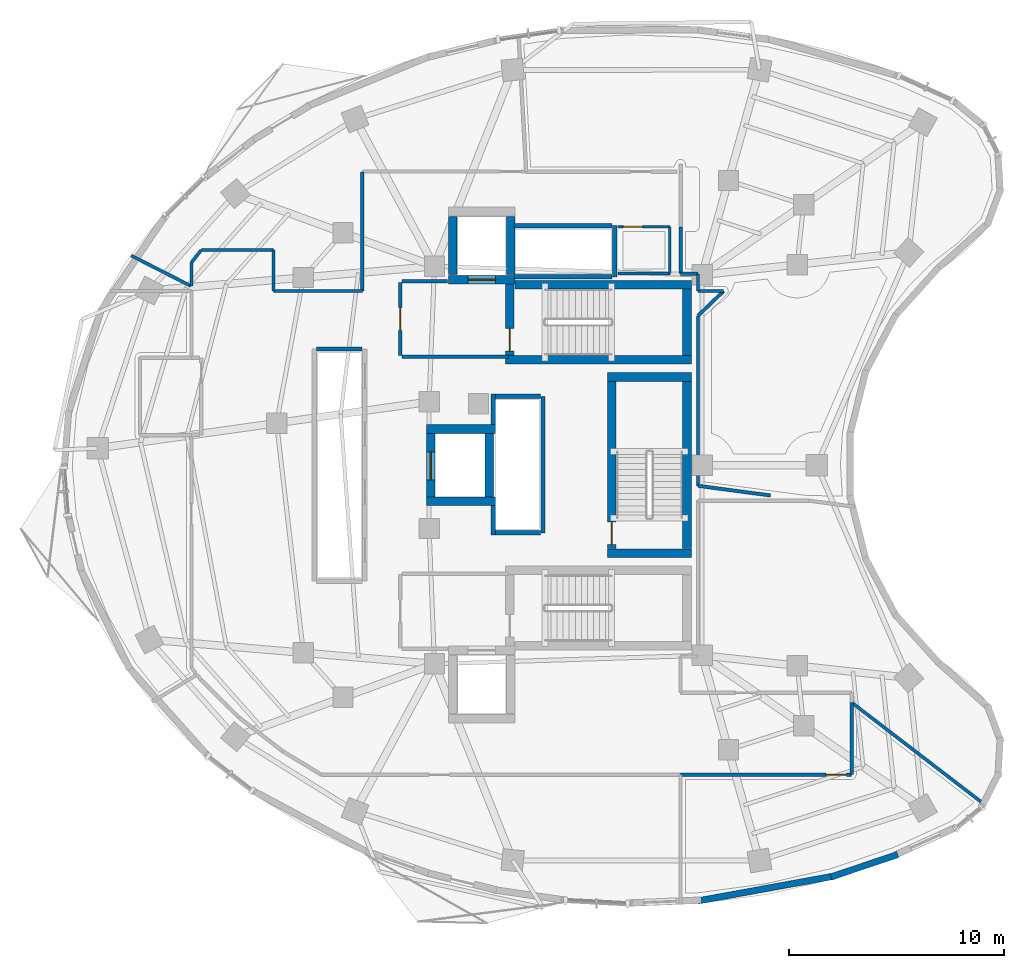
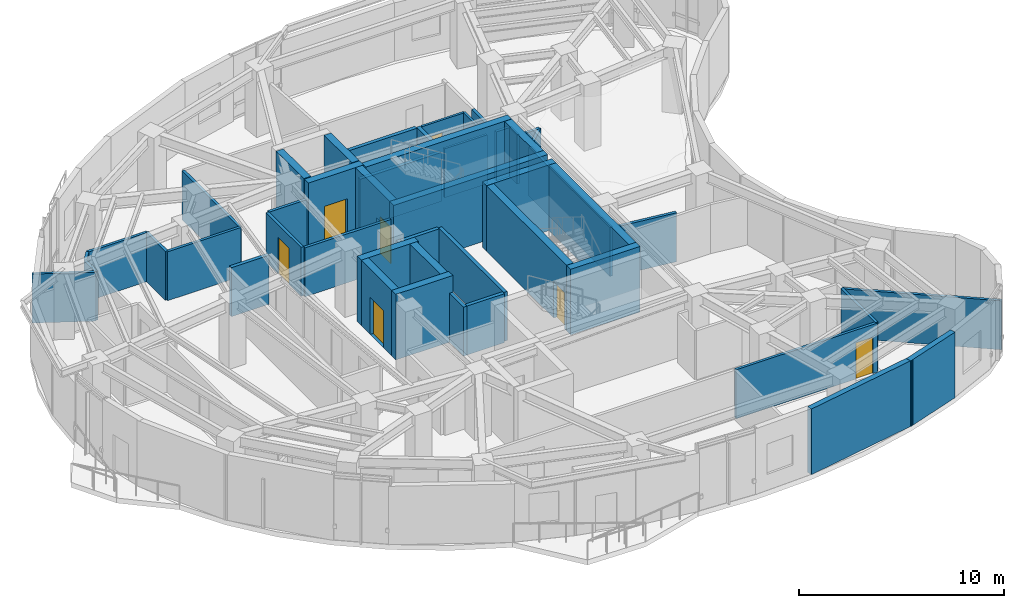
# One storey, part 8 of 13: 49 walls, 7 doors, 7 openings.
"""IFC4 building model written with IfcOpenShell, lengths in metres."""

from ifc_helpers import new_model, si_unit, direction, frame, frame_2d, origin, place, context, subcontext, project, spatial, rectangle, extrude, material, layer, layer_set, type_object, element, fill, save


model = new_model("IFC4")

# Units and contexts
model_context = context("Model", 3, precision=1e-05, world=origin(), true_north=direction((0.0, 1.0)))
body_context = subcontext(model_context, "Body", "Model", "MODEL_VIEW")
ifc_project = project(units=[si_unit("LENGTHUNIT", "METRE"), si_unit("AREAUNIT", "SQUARE_METRE"), si_unit("VOLUMEUNIT", "CUBIC_METRE"), si_unit("PLANEANGLEUNIT", "RADIAN"), si_unit("MASSUNIT", "GRAM", prefix="KILO")], contexts=[model_context])

# Site, building, storey
site_placement = place(None, origin())
site = spatial("IfcSite", under=ifc_project, at=site_placement, CompositionType="ELEMENT")
building_placement = place(site_placement, origin())
building = spatial("IfcBuilding", under=site, at=building_placement, Name="Korentha Bioscience Tower", CompositionType="ELEMENT")
storey_placement = place(building_placement, frame((0.0, 0.0, 175.199951171875)))
storey = spatial("IfcBuildingStorey", under=building, at=storey_placement, Name="L40", CompositionType="ELEMENT", Elevation=175.199951171875)

# Wall, opening, door
ifc_material_1 = material(Name="Double-Stud Acoustic Gypsum", Category="gypsum")
ifc_layer_1 = layer(ifc_material_1, 0.14990234375, Name="Double-Stud Acoustic Gypsum")
ifc_layer_set_1 = layer_set([ifc_layer_1], Name="Double-Stud Acoustic Gypsum (IW-L150)")
wall_type_1 = type_object("IfcWallType", Name="Acoustic Laboratory Partition Wall 150", PredefinedType="PARTITIONING", material=ifc_layer_set_1)
wall_1_placement = place(storey_placement, frame((36.55810546875, 12.590087890625, 0.0), z_axis=(0.0, 0.0, 1.0), x_axis=(1.0, 0.0, 0.0)))
wall_1 = element("IfcWall", 1, at=wall_1_placement, inside=storey, type_object=wall_type_1, Name="L40 Biomechanical Motion Analysis Lab 03 Entrance Wall", PredefinedType="PARTITIONING", context=body_context, shape_type="SweptSolid", body=[
    extrude(rectangle(XDim=7.94189453125, YDim=0.14990234375, at=frame_2d((3.970947265625, 0.0))), origin(), (0.0, 0.0, 1.0), 2.91015625),
])
opening_1_placement = place(wall_1_placement, frame((6.751953125, 0.0, 0.0)))
opening_1 = element("IfcOpeningElement", 2, at=opening_1_placement, cuts=wall_1, Name="Opening ID-10L", PredefinedType="OPENING", context=body_context, shape_type="SweptSolid", body=[
    extrude(rectangle(XDim=0.949951171875, YDim=2.14990234375, at=frame_2d((0.47509765625, 1.074951171875))), frame((0.0, 0.08984375, 0.0), z_axis=(0.0, -1.0, 0.0), x_axis=(1.0, 0.0, 0.0)), (0.0, 0.0, 1.0), 0.1796875),
])
ifc_material_2 = material(Name="Phenolic Laminate Timber Core", Category="wood")
door_type_1 = type_object("IfcDoorType", Name="Laboratory Single Leaf Door 950x2150 Left", OperationType="SINGLE_SWING_LEFT", PredefinedType="DOOR", material=ifc_material_2)
door_1_placement = place(opening_1_placement, origin())
door_1 = element("IfcDoor", 3, at=door_1_placement, inside=storey, type_object=door_type_1, Name="L40 Biomechanical Motion Analysis Lab 03 Door", OperationType="SINGLE_SWING_LEFT", OverallHeight=2.14990234375, OverallWidth=0.949951171875, PredefinedType="DOOR", context=body_context, shape_type="SweptSolid", body=[
    extrude(rectangle(XDim=0.949951171875, YDim=2.14990234375, at=frame_2d((0.47509765625, 1.074951171875))), frame((0.0, 0.02490234375, 0.0), z_axis=(0.0, -1.0, 0.0), x_axis=(1.0, 0.0, 0.0)), (0.0, 0.0, 1.0), 0.050048828125),
])
fill(opening_1, door_1)

# Walls
wall_2_placement = place(storey_placement, frame((44.510009765625, 12.60009765625, 0.0), z_axis=(0.0, 0.0, 1.0), x_axis=(0.0, 1.0, 0.0)))
element("IfcWall", 4, at=wall_2_placement, inside=storey, type_object=wall_type_1, Name="L40 Interior Partition 025", PredefinedType="PARTITIONING", context=body_context, shape_type="SweptSolid", body=[
    extrude(rectangle(XDim=3.35595703125, YDim=0.14990234375, at=frame_2d((1.677978515625, 0.0))), origin(), (0.0, 0.0, 1.0), 2.91015625),
])
wall_3_placement = place(storey_placement, frame((44.510009765625, 15.9560546875, 0.0), z_axis=(0.0, 0.0, 1.0), x_axis=(0.793353363714, -0.608761398484, 0.0)))
element("IfcWall", 5, at=wall_3_placement, inside=storey, type_object=wall_type_1, Name="L40 Interior Partition 026", PredefinedType="PARTITIONING", context=body_context, shape_type="SweptSolid", body=[
    extrude(rectangle(XDim=7.845703125, YDim=0.14990234375, at=frame_2d((3.9228515625, 0.0))), origin(), (0.0, 0.0, 1.0), 2.91015625),
])
wall_4_placement = place(storey_placement, frame((21.739990234375, 40.64990234375, 0.0), z_axis=(0.0, 0.0, 1.0), x_axis=(0.0, -1.0, 0.0)))
element("IfcWall", 6, at=wall_4_placement, inside=storey, type_object=wall_type_1, Name="L40 Interior Partition 045", PredefinedType="PARTITIONING", context=body_context, shape_type="SweptSolid", body=[
    extrude(rectangle(XDim=5.5478515625, YDim=0.14990234375, at=frame_2d((2.77392578125, 0.0))), origin(), (0.0, 0.0, 1.0), 2.91015625),
])
wall_5_placement = place(storey_placement, frame((21.739990234375, 35.10205078125, 0.0), z_axis=(0.0, 0.0, 1.0), x_axis=(-1.0, 0.0, 0.0)))
element("IfcWall", 7, at=wall_5_placement, inside=storey, type_object=wall_type_1, Name="L40 Interior Partition 046", PredefinedType="PARTITIONING", context=body_context, shape_type="SweptSolid", body=[
    extrude(rectangle(XDim=4.1298828125, YDim=0.14990234375, at=frame_2d((2.06494140625, 0.0))), origin(), (0.0, 0.0, 1.0), 2.91015625),
])
wall_6_placement = place(storey_placement, frame((17.610107421875, 35.10205078125, 0.0), z_axis=(0.0, 0.0, 1.0), x_axis=(0.0, 1.0, 0.0)))
element("IfcWall", 8, at=wall_6_placement, inside=storey, type_object=wall_type_1, Name="L40 Interior Partition 047", PredefinedType="PARTITIONING", context=body_context, shape_type="SweptSolid", body=[
    extrude(rectangle(XDim=1.89794921875, YDim=0.14990234375, at=frame_2d((0.948974609375, 0.0))), origin(), (0.0, 0.0, 1.0), 2.91015625),
])
wall_7_placement = place(storey_placement, frame((17.60009765625, 37.010009765625, 0.0), z_axis=(0.0, 0.0, 1.0), x_axis=(-1.0, 0.0, 0.0)))
element("IfcWall", 9, at=wall_7_placement, inside=storey, type_object=wall_type_1, Name="L40 Interior Partition 048", PredefinedType="PARTITIONING", context=body_context, shape_type="SweptSolid", body=[
    extrude(rectangle(XDim=3.3447265625, YDim=0.14990234375, at=frame_2d((1.67236328125, 0.0))), origin(), (0.0, 0.0, 1.0), 2.91015625),
])
wall_8_placement = place(storey_placement, frame((14.24755859375, 37.006103515625, 0.0), z_axis=(0.0, 0.0, 1.0), x_axis=(-0.616041172792, -0.787713954063, 0.0)))
element("IfcWall", 10, at=wall_8_placement, inside=storey, type_object=wall_type_1, Name="L40 Interior Partition 049", PredefinedType="PARTITIONING", context=body_context, shape_type="SweptSolid", body=[
    extrude(rectangle(XDim=0.739501953125, YDim=0.14990234375, at=frame_2d((0.36962890625, 0.0))), origin(), (0.0, 0.0, 1.0), 2.91015625),
])
wall_9_placement = place(storey_placement, frame((13.7900390625, 36.41748046875, 0.0), z_axis=(0.0, 0.0, 1.0), x_axis=(0.0, -1.0, 0.0)))
element("IfcWall", 11, at=wall_9_placement, inside=storey, type_object=wall_type_1, Name="L40 Interior Partition 050", PredefinedType="PARTITIONING", context=body_context, shape_type="SweptSolid", body=[
    extrude(rectangle(XDim=1.094482421875, YDim=0.14990234375, at=frame_2d((0.54736328125, 0.0))), origin(), (0.0, 0.0, 1.0), 2.91015625),
])
wall_10_placement = place(storey_placement, frame((13.760498046875, 35.337890625, 0.0), z_axis=(0.0, 0.0, 1.0), x_axis=(-0.890989702295, 0.454023513053, 0.0)))
element("IfcWall", 12, at=wall_10_placement, inside=storey, type_object=wall_type_1, Name="L40 Interior Partition 051", PredefinedType="PARTITIONING", context=body_context, shape_type="SweptSolid", body=[
    extrude(rectangle(XDim=3.10595703125, YDim=0.14990234375, at=frame_2d((1.552978515625, 0.0))), origin(), (0.0, 0.0, 1.0), 2.91015625),
])

# Wall, opening, door
ifc_material_3 = material(Name="Gypsum-Clad Steel Stud", Category="steel")
ifc_layer_2 = layer(ifc_material_3, 0.159912109375, Name="Gypsum-Clad Steel Stud")
ifc_layer_set_2 = layer_set([ifc_layer_2], Name="Gypsum-Clad Steel Stud (IW-C160)")
wall_type_2 = type_object("IfcWallType", Name="Fire-Rated Corridor Partition Wall 160", PredefinedType="PARTITIONING", material=ifc_layer_set_2)
wall_11_placement = place(storey_placement, frame((23.5, 32.10009765625, 0.0), z_axis=(0.0, 0.0, 1.0), x_axis=(0.0, 1.0, 0.0)))
wall_11 = element("IfcWall", 13, at=wall_11_placement, inside=storey, type_object=wall_type_2, Name="L40 FFLN-CW Rated Enclosure Wall", PredefinedType="PARTITIONING", context=body_context, shape_type="SweptSolid", body=[
    extrude(rectangle(XDim=3.39990234375, YDim=0.159912109375, at=frame_2d((1.699951171875, 0.0))), origin(), (0.0, 0.0, 1.0), 2.91015625),
])
opening_2_placement = place(wall_11_placement, frame((1.175048828125, 0.0, 0.0)))
opening_2 = element("IfcOpeningElement", 14, at=opening_2_placement, cuts=wall_11, Name="Opening FD-90L", PredefinedType="OPENING", context=body_context, shape_type="SweptSolid", body=[
    extrude(rectangle(XDim=1.050048828125, YDim=2.14990234375, at=frame_2d((0.52490234375, 1.074951171875))), frame((0.0, 0.0947265625, 0.0), z_axis=(0.0, -1.0, 0.0), x_axis=(1.0, 0.0, 0.0)), (0.0, 0.0, 1.0), 0.189697265625),
])
ifc_material_4 = material(Name="Powder-Coated Fire-Rated Steel", Category="steel")
door_type_2 = type_object("IfcDoorType", Name="Stairwell Fire Exit Door 1050x2150 Left", OperationType="SINGLE_SWING_LEFT", PredefinedType="DOOR", material=ifc_material_4)
door_2_placement = place(opening_2_placement, origin())
door_2 = element("IfcDoor", 15, at=door_2_placement, inside=storey, type_object=door_type_2, Name="L40 North Firefighting Lobby Door", OperationType="SINGLE_SWING_LEFT", OverallHeight=2.14990234375, OverallWidth=1.050048828125, PredefinedType="DOOR", context=body_context, shape_type="SweptSolid", body=[
    extrude(rectangle(XDim=1.050048828125, YDim=2.14990234375, at=frame_2d((0.52490234375, 1.074951171875))), frame((0.0, 0.02490234375, 0.0), z_axis=(0.0, -1.0, 0.0), x_axis=(1.0, 0.0, 0.0)), (0.0, 0.0, 1.0), 0.050048828125),
])
fill(opening_2, door_2)

# Walls
wall_12_placement = place(storey_placement, frame((23.580078125, 32.050048828125, 0.0), z_axis=(0.0, 0.0, 1.0), x_axis=(1.0, 0.0, 0.0)))
element("IfcWall", 16, at=wall_12_placement, inside=storey, type_object=wall_type_2, Name="L40 Firefighting Lobby Return Wall FFLN-S", PredefinedType="PARTITIONING", context=body_context, shape_type="SweptSolid", body=[
    extrude(rectangle(XDim=4.969970703125, YDim=0.159912109375, at=frame_2d((2.48486328125, 0.0))), origin(), (0.0, 0.0, 1.0), 2.91015625),
])
wall_13_placement = place(storey_placement, frame((23.580078125, 35.550048828125, 0.0), z_axis=(0.0, 0.0, 1.0), x_axis=(1.0, 0.0, 0.0)))
element("IfcWall", 17, at=wall_13_placement, inside=storey, type_object=wall_type_2, Name="L40 Firefighting Lobby Return Wall FFLN-N", PredefinedType="PARTITIONING", context=body_context, shape_type="SweptSolid", body=[
    extrude(rectangle(XDim=2.119873046875, YDim=0.159912109375, at=frame_2d((1.06005859375, 0.0))), origin(), (0.0, 0.0, 1.0), 2.91015625),
])
wall_14_placement = place(storey_placement, frame((40.73828125, 25.587890625, 0.0), z_axis=(0.0, 0.0, 1.0), x_axis=(-0.9912460353, 0.13202763916, 0.0)))
element("IfcWall", 18, at=wall_14_placement, inside=storey, type_object=wall_type_2, Name="L40 Interior Partition 033", PredefinedType="PARTITIONING", context=body_context, shape_type="SweptSolid", body=[
    extrude(rectangle(XDim=3.407958984375, YDim=0.159912109375, at=frame_2d((1.7041015625, 0.0))), origin(), (0.0, 0.0, 1.0), 2.91015625),
])
wall_15_placement = place(storey_placement, frame((37.360107421875, 26.037841796875, 0.0), z_axis=(0.0, 0.0, 1.0), x_axis=(0.0, 1.0, 0.0)))
element("IfcWall", 19, at=wall_15_placement, inside=storey, type_object=wall_type_2, Name="L40 Interior Partition 034", PredefinedType="PARTITIONING", context=body_context, shape_type="SweptSolid", body=[
    extrude(rectangle(XDim=7.912353515625, YDim=0.159912109375, at=frame_2d((3.9560546875, 0.0))), origin(), (0.0, 0.0, 1.0), 2.91015625),
])
wall_16_placement = place(storey_placement, frame((37.360107421875, 33.9501953125, 0.0), z_axis=(0.0, 0.0, 1.0), x_axis=(0.721216110358, 0.692710128524, 0.0)))
element("IfcWall", 20, at=wall_16_placement, inside=storey, type_object=wall_type_2, Name="L40 Interior Partition 035", PredefinedType="PARTITIONING", context=body_context, shape_type="SweptSolid", body=[
    extrude(rectangle(XDim=1.653076171875, YDim=0.159912109375, at=frame_2d((0.82666015625, 0.0))), origin(), (0.0, 0.0, 1.0), 2.91015625),
])
wall_17_placement = place(storey_placement, frame((38.54931640625, 35.10205078125, 0.0), z_axis=(0.0, 0.0, 1.0), x_axis=(-1.0, 0.0, 0.0)))
element("IfcWall", 21, at=wall_17_placement, inside=storey, type_object=wall_type_2, Name="L40 Interior Partition 036", PredefinedType="PARTITIONING", context=body_context, shape_type="SweptSolid", body=[
    extrude(rectangle(XDim=1.189208984375, YDim=0.159912109375, at=frame_2d((0.5947265625, 0.0))), origin(), (0.0, 0.0, 1.0), 2.91015625),
])
wall_18_placement = place(storey_placement, frame((37.360107421875, 35.10205078125, 0.0), z_axis=(0.0, 0.0, 1.0), x_axis=(0.0, 1.0, 0.0)))
element("IfcWall", 22, at=wall_18_placement, inside=storey, type_object=wall_type_2, Name="L40 Interior Partition 037", PredefinedType="PARTITIONING", context=body_context, shape_type="SweptSolid", body=[
    extrude(rectangle(XDim=0.7978515625, YDim=0.159912109375, at=frame_2d((0.39892578125, 0.0))), origin(), (0.0, 0.0, 1.0), 2.91015625),
])
wall_19_placement = place(storey_placement, frame((37.35009765625, 35.909912109375, 0.0), z_axis=(0.0, 0.0, 1.0), x_axis=(-1.0, 0.0, 0.0)))
element("IfcWall", 23, at=wall_19_placement, inside=storey, type_object=wall_type_2, Name="L40 Interior Partition 038", PredefinedType="PARTITIONING", context=body_context, shape_type="SweptSolid", body=[
    extrude(rectangle(XDim=0.798095703125, YDim=0.159912109375, at=frame_2d((0.39892578125, 0.0))), origin(), (0.0, 0.0, 1.0), 2.91015625),
])
wall_20_placement = place(storey_placement, frame((36.552001953125, 35.909912109375, 0.0), z_axis=(0.0, 0.0, 1.0), x_axis=(0.0, 1.0, 0.0)))
element("IfcWall", 24, at=wall_20_placement, inside=storey, type_object=wall_type_2, Name="L40 Interior Partition 039", PredefinedType="PARTITIONING", context=body_context, shape_type="SweptSolid", body=[
    extrude(rectangle(XDim=2.18017578125, YDim=0.159912109375, at=frame_2d((1.090087890625, 0.0))), origin(), (0.0, 0.0, 1.0), 2.91015625),
])
ifc_material_5 = material(Name="Honed Limestone Precast Concrete C40", Category="masonry")
ifc_layer_3 = layer(ifc_material_5, 0.300048828125, Name="Honed Limestone Precast Concrete C40")
ifc_layer_set_3 = layer_set([ifc_layer_3], Name="Honed Limestone Precast Concrete C40 (EW-ST300)")
wall_type_3 = type_object("IfcWallType", Name="Honed Limestone Cavity Spandrel Wall 300", PredefinedType="STANDARD", material=ifc_layer_set_3)
wall_21_placement = place(storey_placement, frame((37.34228515625, 6.72119140625, 0.0), z_axis=(0.0, 0.0, 1.0), x_axis=(0.983808533342, 0.179222681945, 0.0)))
element("IfcWall", 25, at=wall_21_placement, inside=storey, type_object=wall_type_3, Name="L40 Limestone Perimeter Closure Wall 33", PredefinedType="STANDARD", context=body_context, shape_type="SweptSolid", body=[
    extrude(rectangle(XDim=6.497802734375, YDim=0.300048828125, at=frame_2d((3.2490234375, 0.0))), origin(), (0.0, 0.0, 1.0), 3.900146484375),
])
wall_22_placement = place(storey_placement, frame((43.560791015625, 7.8408203125, 0.0), z_axis=(0.0, 0.0, 1.0), x_axis=(0.947683163779, 0.319212501462, 0.0)))
element("IfcWall", 26, at=wall_22_placement, inside=storey, type_object=wall_type_3, Name="L40 Limestone Perimeter Closure Wall 35", PredefinedType="STANDARD", context=body_context, shape_type="SweptSolid", body=[
    extrude(rectangle(XDim=3.261962890625, YDim=0.300048828125, at=frame_2d((1.630859375, 0.0))), origin(), (0.0, 0.0, 1.0), 3.900146484375),
])
ifc_material_6 = material(Name="Autoclaved Aerated Concrete Block C25", Category="concrete")
ifc_layer_4 = layer(ifc_material_6, 0.199951171875, Name="Autoclaved Aerated Concrete Block C25")
ifc_layer_set_4 = layer_set([ifc_layer_4], Name="Autoclaved Aerated Concrete Block C25 (IW-S200)")
wall_type_4 = type_object("IfcWallType", Name="Lift and Riser Shaft Enclosure Wall 200", PredefinedType="PARTITIONING", material=ifc_layer_set_4)
wall_23_placement = place(storey_placement, frame((19.6201171875, 32.39990234375, 0.0), z_axis=(0.0, 0.0, 1.0), x_axis=(1.0, 0.0, 0.0)))
element("IfcWall", 27, at=wall_23_placement, inside=storey, type_object=wall_type_4, Name="L40 Lift Bank MID Shaft Wall +Y", PredefinedType="PARTITIONING", context=body_context, shape_type="SweptSolid", body=[
    extrude(rectangle(XDim=2.10986328125, YDim=0.199951171875, at=frame_2d((1.054931640625, 0.0))), origin(), (0.0, 0.0, 1.0), 2.91015625),
])
wall_24_placement = place(storey_placement, frame((27.830078125, 23.75, 0.0), z_axis=(0.0, 0.0, 1.0), x_axis=(0.0, 1.0, 0.0)))
element("IfcWall", 28, at=wall_24_placement, inside=storey, type_object=wall_type_4, Name="L40 Lift Bank HIGH Shaft Wall -XS", PredefinedType="PARTITIONING", context=body_context, shape_type="SweptSolid", body=[
    extrude(rectangle(XDim=1.365966796875, YDim=0.199951171875, at=frame_2d((0.68310546875, 0.0))), origin(), (0.0, 0.0, 1.0), 2.91015625),
])
wall_25_placement = place(storey_placement, frame((27.830078125, 28.884033203125, 0.0), z_axis=(0.0, 0.0, 1.0), x_axis=(0.0, 1.0, 0.0)))
element("IfcWall", 29, at=wall_25_placement, inside=storey, type_object=wall_type_4, Name="L40 Lift Bank HIGH Shaft Wall -XN", PredefinedType="PARTITIONING", context=body_context, shape_type="SweptSolid", body=[
    extrude(rectangle(XDim=1.416015625, YDim=0.199951171875, at=frame_2d((0.7080078125, 0.0))), origin(), (0.0, 0.0, 1.0), 2.91015625),
])
wall_26_placement = place(storey_placement, frame((30.14990234375, 23.85009765625, 0.0), z_axis=(0.0, 0.0, 1.0), x_axis=(0.0, 1.0, 0.0)))
element("IfcWall", 30, at=wall_26_placement, inside=storey, type_object=wall_type_4, Name="L40 Lift Bank HIGH Shaft Wall +X", PredefinedType="PARTITIONING", context=body_context, shape_type="SweptSolid", body=[
    extrude(rectangle(XDim=6.349853515625, YDim=0.199951171875, at=frame_2d((3.1748046875, 0.0))), origin(), (0.0, 0.0, 1.0), 2.91015625),
])
for number, where, z_axis, x_axis, name in (
    (31, (27.93408203125, 23.85009765625, 0.0), (0.0, 0.0, 1.0), (1.0, 0.0, 0.0), "L40 Lift Bank HIGH Shaft Wall -Y"),
    (32, (27.93408203125, 30.199951171875, 0.0), (0.0, 0.0, 1.0), (1.0, 0.0, 0.0), "L40 Lift Bank HIGH Shaft Wall +Y"),
):
    element("IfcWall", number, at=place(storey_placement, frame(where, z_axis=z_axis, x_axis=x_axis)), inside=storey, type_object=wall_type_4, Name=name, PredefinedType="PARTITIONING", context=body_context, shape_type="SweptSolid", body=[
        extrude(rectangle(XDim=2.095947265625, YDim=0.199951171875, at=frame_2d((1.0478515625, 0.0))), origin(), (0.0, 0.0, 1.0), 2.91015625),
    ])
wall_27_placement = place(storey_placement, frame((33.489990234375, 35.760009765625, 0.0), z_axis=(0.0, 0.0, 1.0), x_axis=(0.0, 1.0, 0.0)))
element("IfcWall", 33, at=wall_27_placement, inside=storey, type_object=wall_type_4, Name="L40 Lift Bank OBS Shaft Wall +X", PredefinedType="PARTITIONING", context=body_context, shape_type="SweptSolid", body=[
    extrude(rectangle(XDim=2.3798828125, YDim=0.199951171875, at=frame_2d((1.18994140625, 0.0))), origin(), (0.0, 0.0, 1.0), 2.91015625),
])
for number, where, z_axis, x_axis, name in (
    (34, (28.800048828125, 35.760009765625, 0.0), (0.0, 0.0, 1.0), (1.0, 0.0, 0.0), "L40 Lift Bank OBS Shaft Wall -Y"),
    (35, (28.800048828125, 38.139892578125, 0.0), (0.0, 0.0, 1.0), (1.0, 0.0, 0.0), "L40 Lift Bank OBS Shaft Wall +Y"),
):
    element("IfcWall", number, at=place(storey_placement, frame(where, z_axis=z_axis, x_axis=x_axis)), inside=storey, type_object=wall_type_4, Name=name, PredefinedType="PARTITIONING", context=body_context, shape_type="SweptSolid", body=[
        extrude(rectangle(XDim=4.570068359375, YDim=0.199951171875, at=frame_2d((2.28515625, 0.0))), origin(), (0.0, 0.0, 1.0), 2.91015625),
    ])
ifc_material_7 = material(Name="Concrete C65", Category="concrete")
ifc_layer_5 = layer(ifc_material_7, 0.39990234375, Name="Concrete C65")
ifc_layer_set_5 = layer_set([ifc_layer_5], Name="Concrete C65 (CW-C65)")
wall_type_5 = type_object("IfcWallType", Name="Mid-Rise Core Shear Wall 400", PredefinedType="SHEAR", material=ifc_layer_set_5)
wall_28_placement = place(storey_placement, frame((28.85205078125, 35.39990234375, 0.0), z_axis=(0.0, 0.0, 1.0), x_axis=(1.0, 0.0, 0.0)))
element("IfcWall", 36, at=wall_28_placement, inside=storey, type_object=wall_type_5, Name="L40 Core Shear Wall ST1-N", PredefinedType="SHEAR", context=body_context, shape_type="SweptSolid", body=[
    extrude(rectangle(XDim=8.197998046875, YDim=0.39990234375, at=frame_2d((4.09912109375, 0.0))), origin(), (0.0, 0.0, 1.0), 3.900146484375),
])
wall_29_placement = place(storey_placement, frame((28.39990234375, 31.89990234375, 0.0), z_axis=(0.0, 0.0, 1.0), x_axis=(1.0, 0.0, 0.0)))
element("IfcWall", 37, at=wall_29_placement, inside=storey, type_object=wall_type_5, Name="L40 Core Shear Wall ST1-S", PredefinedType="SHEAR", context=body_context, shape_type="SweptSolid", body=[
    extrude(rectangle(XDim=8.650146484375, YDim=0.39990234375, at=frame_2d((4.3251953125, 0.0))), origin(), (0.0, 0.0, 1.0), 3.900146484375),
])
wall_30_placement = place(storey_placement, frame((36.85009765625, 32.110107421875, 0.0), z_axis=(0.0, 0.0, 1.0), x_axis=(0.0, 1.0, 0.0)))
element("IfcWall", 38, at=wall_30_placement, inside=storey, type_object=wall_type_5, Name="L40 Core Shear Wall ST1-E", PredefinedType="SHEAR", context=body_context, shape_type="SweptSolid", body=[
    extrude(rectangle(XDim=3.079833984375, YDim=0.39990234375, at=frame_2d((1.5400390625, 0.0))), origin(), (0.0, 0.0, 1.0), 3.900146484375),
])

# Wall, opening, door
wall_31_placement = place(storey_placement, frame((28.60009765625, 32.110107421875, 0.0), z_axis=(0.0, 0.0, 1.0), x_axis=(0.0, 1.0, 0.0)))
wall_31 = element("IfcWall", 39, at=wall_31_placement, inside=storey, type_object=wall_type_5, Name="L40 Core Shear Wall ST1-W", PredefinedType="SHEAR", context=body_context, shape_type="SweptSolid", body=[
    extrude(rectangle(XDim=3.307861328125, YDim=0.39990234375, at=frame_2d((1.65380859375, 0.0))), origin(), (0.0, 0.0, 1.0), 3.900146484375),
])
opening_3_placement = place(wall_31_placement, frame((0.199951171875, 0.0, 0.0)))
opening_3 = element("IfcOpeningElement", 40, at=opening_3_placement, cuts=wall_31, Name="Opening FD-90L", PredefinedType="OPENING", context=body_context, shape_type="SweptSolid", body=[
    extrude(rectangle(XDim=1.050048828125, YDim=2.14990234375, at=frame_2d((0.52490234375, 1.074951171875))), frame((0.0, 0.21484375, 0.0), z_axis=(0.0, -1.0, 0.0), x_axis=(1.0, 0.0, 0.0)), (0.0, 0.0, 1.0), 0.4296875),
])
door_3_placement = place(opening_3_placement, origin())
door_3 = element("IfcDoor", 41, at=door_3_placement, inside=storey, type_object=door_type_2, Name="L40 ST-1 Fire Exit Stair Door", OperationType="SINGLE_SWING_LEFT", OverallHeight=2.14990234375, OverallWidth=1.050048828125, PredefinedType="DOOR", context=body_context, shape_type="SweptSolid", body=[
    extrude(rectangle(XDim=1.050048828125, YDim=2.14990234375, at=frame_2d((0.52490234375, 1.074951171875))), frame((0.0, 0.02490234375, 0.0), z_axis=(0.0, -1.0, 0.0), x_axis=(1.0, 0.0, 0.0)), (0.0, 0.0, 1.0), 0.050048828125),
])
fill(opening_3, door_3)

# Walls
for number, where, z_axis, x_axis, name in (
    (42, (33.14990234375, 31.10009765625, 0.0), (0.0, 0.0, 1.0), (1.0, 0.0, 0.0), "L40 Core Shear Wall ST3-N"),
    (43, (33.14990234375, 22.89990234375, 0.0), (0.0, 0.0, 1.0), (1.0, 0.0, 0.0), "L40 Core Shear Wall ST3-S"),
):
    element("IfcWall", number, at=place(storey_placement, frame(where, z_axis=z_axis, x_axis=x_axis)), inside=storey, type_object=wall_type_5, Name=name, PredefinedType="SHEAR", context=body_context, shape_type="SweptSolid", body=[
        extrude(rectangle(XDim=3.900146484375, YDim=0.39990234375, at=frame_2d((1.9501953125, 0.0))), origin(), (0.0, 0.0, 1.0), 3.900146484375),
    ])
wall_32_placement = place(storey_placement, frame((36.85009765625, 23.110107421875, 0.0), z_axis=(0.0, 0.0, 1.0), x_axis=(0.0, 1.0, 0.0)))
element("IfcWall", 44, at=wall_32_placement, inside=storey, type_object=wall_type_5, Name="L40 Core Shear Wall ST3-E", PredefinedType="SHEAR", context=body_context, shape_type="SweptSolid", body=[
    extrude(rectangle(XDim=7.77978515625, YDim=0.39990234375, at=frame_2d((3.889892578125, 0.0))), origin(), (0.0, 0.0, 1.0), 3.900146484375),
])

# Wall, opening, door
wall_33_placement = place(storey_placement, frame((33.35009765625, 23.110107421875, 0.0), z_axis=(0.0, 0.0, 1.0), x_axis=(0.0, 1.0, 0.0)))
wall_33 = element("IfcWall", 45, at=wall_33_placement, inside=storey, type_object=wall_type_5, Name="L40 Core Shear Wall ST3-W", PredefinedType="SHEAR", context=body_context, shape_type="SweptSolid", body=[
    extrude(rectangle(XDim=7.77978515625, YDim=0.39990234375, at=frame_2d((3.889892578125, 0.0))), origin(), (0.0, 0.0, 1.0), 3.900146484375),
])
opening_4_placement = place(wall_33_placement, frame((0.199951171875, 0.0, 0.0)))
opening_4 = element("IfcOpeningElement", 46, at=opening_4_placement, cuts=wall_33, Name="Opening FD-90L", PredefinedType="OPENING", context=body_context, shape_type="SweptSolid", body=[
    extrude(rectangle(XDim=1.050048828125, YDim=2.14990234375, at=frame_2d((0.52490234375, 1.074951171875))), frame((0.0, 0.21484375, 0.0), z_axis=(0.0, -1.0, 0.0), x_axis=(1.0, 0.0, 0.0)), (0.0, 0.0, 1.0), 0.4296875),
])
door_4_placement = place(opening_4_placement, origin())
door_4 = element("IfcDoor", 47, at=door_4_placement, inside=storey, type_object=door_type_2, Name="L40 ST-3 Fire Exit Stair Door", OperationType="SINGLE_SWING_LEFT", OverallHeight=2.14990234375, OverallWidth=1.050048828125, PredefinedType="DOOR", context=body_context, shape_type="SweptSolid", body=[
    extrude(rectangle(XDim=1.050048828125, YDim=2.14990234375, at=frame_2d((0.52490234375, 1.074951171875))), frame((0.0, 0.02490234375, 0.0), z_axis=(0.0, -1.0, 0.0), x_axis=(1.0, 0.0, 0.0)), (0.0, 0.0, 1.0), 0.050048828125),
])
fill(opening_4, door_4)

wall_34_placement = place(storey_placement, frame((25.75, 35.6201171875, 0.0), z_axis=(0.0, 0.0, 1.0), x_axis=(1.0, 0.0, 0.0)))
wall_34 = element("IfcWall", 48, at=wall_34_placement, inside=storey, type_object=wall_type_5, Name="L40 Core Shear Wall FFL2-S", PredefinedType="SHEAR", context=body_context, shape_type="SweptSolid", body=[
    extrude(rectangle(XDim=3.10009765625, YDim=0.39990234375, at=frame_2d((1.550048828125, 0.0))), origin(), (0.0, 0.0, 1.0), 3.900146484375),
])
opening_5_placement = place(wall_34_placement, frame((0.89990234375, 0.0, 0.0)))
opening_5 = element("IfcOpeningElement", 49, at=opening_5_placement, cuts=wall_34, Name="Opening LD-13", PredefinedType="OPENING", context=body_context, shape_type="SweptSolid", body=[
    extrude(rectangle(XDim=1.300048828125, YDim=2.199951171875, at=frame_2d((0.64990234375, 1.10009765625))), frame((0.0, 0.21484375, 0.0), z_axis=(0.0, -1.0, 0.0), x_axis=(1.0, 0.0, 0.0)), (0.0, 0.0, 1.0), 0.4296875),
])
ifc_material_8 = material(Name="Brushed Stainless Steel 316", Category="steel")
door_type_3 = type_object("IfcDoorType", Name="Service & Firefighting Lift Landing Door 1300x2300", OperationType="DOUBLE_DOOR_SLIDING", PredefinedType="DOOR", material=ifc_material_8)
door_5_placement = place(opening_5_placement, origin())
door_5 = element("IfcDoor", 50, at=door_5_placement, inside=storey, type_object=door_type_3, Name="L40 FFL-2 Sliding Lift Landing Door", OperationType="DOUBLE_DOOR_SLIDING", OverallHeight=2.199951171875, OverallWidth=1.300048828125, PredefinedType="DOOR", context=body_context, shape_type="SweptSolid", body=[
    extrude(rectangle(XDim=1.300048828125, YDim=2.199951171875, at=frame_2d((0.64990234375, 1.10009765625))), frame((0.0, 0.02490234375, 0.0), z_axis=(0.0, -1.0, 0.0), x_axis=(1.0, 0.0, 0.0)), (0.0, 0.0, 1.0), 0.050048828125),
])
fill(opening_5, door_5)

# Walls
for number, where, z_axis, x_axis, name in (
    (51, (25.949951171875, 35.860107421875, 0.0), (0.0, 0.0, 1.0), (0.0, 1.0, 0.0), "L40 Core Shear Wall FFL2-W"),
    (52, (28.64990234375, 35.860107421875, 0.0), (0.0, 0.0, 1.0), (0.0, 1.0, 0.0), "L40 Core Shear Wall FFL2-E"),
):
    element("IfcWall", number, at=place(storey_placement, frame(where, z_axis=z_axis, x_axis=x_axis)), inside=storey, type_object=wall_type_5, Name=name, PredefinedType="SHEAR", context=body_context, shape_type="SweptSolid", body=[
        extrude(rectangle(XDim=2.699951171875, YDim=0.39990234375, at=frame_2d((1.35009765625, 0.0))), origin(), (0.0, 0.0, 1.0), 3.900146484375),
    ])
for number, where, z_axis, x_axis, name in (
    (53, (24.719970703125, 28.679931640625, 0.0), (0.0, 0.0, 1.0), (1.0, 0.0, 0.0), "L40 Core Shear Wall SVL1-N"),
    (54, (24.719970703125, 25.320068359375, 0.0), (0.0, 0.0, 1.0), (1.0, 0.0, 0.0), "L40 Core Shear Wall SVL1-S"),
):
    element("IfcWall", number, at=place(storey_placement, frame(where, z_axis=z_axis, x_axis=x_axis)), inside=storey, type_object=wall_type_5, Name=name, PredefinedType="SHEAR", context=body_context, shape_type="SweptSolid", body=[
        extrude(rectangle(XDim=3.2099609375, YDim=0.39990234375, at=frame_2d((1.60498046875, 0.0))), origin(), (0.0, 0.0, 1.0), 3.900146484375),
    ])

# Wall, opening, door
wall_35_placement = place(storey_placement, frame((24.919921875, 25.52197265625, 0.0), z_axis=(0.0, 0.0, 1.0), x_axis=(0.0, 1.0, 0.0)))
wall_35 = element("IfcWall", 55, at=wall_35_placement, inside=storey, type_object=wall_type_5, Name="L40 Core Shear Wall SVL1-W", PredefinedType="SHEAR", context=body_context, shape_type="SweptSolid", body=[
    extrude(rectangle(XDim=2.9560546875, YDim=0.39990234375, at=frame_2d((1.47802734375, 0.0))), origin(), (0.0, 0.0, 1.0), 3.900146484375),
])
opening_6_placement = place(wall_35_placement, frame((0.7900390625, 0.0, 0.0)))
opening_6 = element("IfcOpeningElement", 56, at=opening_6_placement, cuts=wall_35, Name="Opening LD-13", PredefinedType="OPENING", context=body_context, shape_type="SweptSolid", body=[
    extrude(rectangle(XDim=1.300048828125, YDim=2.199951171875, at=frame_2d((0.64990234375, 1.10009765625))), frame((0.0, 0.21484375, 0.0), z_axis=(0.0, -1.0, 0.0), x_axis=(1.0, 0.0, 0.0)), (0.0, 0.0, 1.0), 0.4296875),
])
door_6_placement = place(opening_6_placement, origin())
door_6 = element("IfcDoor", 57, at=door_6_placement, inside=storey, type_object=door_type_3, Name="L40 SVL-1 Sliding Lift Landing Door", OperationType="DOUBLE_DOOR_SLIDING", OverallHeight=2.199951171875, OverallWidth=1.300048828125, PredefinedType="DOOR", context=body_context, shape_type="SweptSolid", body=[
    extrude(rectangle(XDim=1.300048828125, YDim=2.199951171875, at=frame_2d((0.64990234375, 1.10009765625))), frame((0.0, 0.02490234375, 0.0), z_axis=(0.0, -1.0, 0.0), x_axis=(1.0, 0.0, 0.0)), (0.0, 0.0, 1.0), 0.050048828125),
])
fill(opening_6, door_6)

# Wall
wall_36_placement = place(storey_placement, frame((27.64990234375, 25.52197265625, 0.0), z_axis=(0.0, 0.0, 1.0), x_axis=(0.0, 1.0, 0.0)))
element("IfcWall", 58, at=wall_36_placement, inside=storey, type_object=wall_type_5, Name="L40 Core Shear Wall SVL1-E", PredefinedType="SHEAR", context=body_context, shape_type="SweptSolid", body=[
    extrude(rectangle(XDim=2.9560546875, YDim=0.39990234375, at=frame_2d((1.47802734375, 0.0))), origin(), (0.0, 0.0, 1.0), 3.900146484375),
])

# Wall, opening, door
ifc_material_9 = material(Name="Cement-Board Steel Stud", Category="steel")
ifc_layer_6 = layer(ifc_material_9, 0.1298828125, Name="Cement-Board Steel Stud")
ifc_layer_set_6 = layer_set([ifc_layer_6], Name="Cement-Board Steel Stud (IW-W130)")
wall_type_6 = type_object("IfcWallType", Name="Wet-Area Moisture-Resistant Partition 130", PredefinedType="PARTITIONING", material=ifc_layer_set_6)
wall_37_placement = place(storey_placement, frame((33.64990234375, 38.090087890625, 0.0), z_axis=(0.0, 0.0, 1.0), x_axis=(1.0, 0.0, 0.0)))
wall_37 = element("IfcWall", 59, at=wall_37_placement, inside=storey, type_object=wall_type_6, Name="L40 Accessible Staff WC Entrance Wall", PredefinedType="PARTITIONING", context=body_context, shape_type="SweptSolid", body=[
    extrude(rectangle(XDim=2.400146484375, YDim=0.1298828125, at=frame_2d((1.2001953125, 0.0))), origin(), (0.0, 0.0, 1.0), 2.91015625),
])
opening_7_placement = place(wall_37_placement, frame((0.239990234375, 0.0, 0.0)))
opening_7 = element("IfcOpeningElement", 60, at=opening_7_placement, cuts=wall_37, Name="Opening ID-09L", PredefinedType="OPENING", context=body_context, shape_type="SweptSolid", body=[
    extrude(rectangle(XDim=0.89990234375, YDim=2.14990234375, at=frame_2d((0.449951171875, 1.074951171875))), frame((0.0, 0.079833984375, 0.0), z_axis=(0.0, -1.0, 0.0), x_axis=(1.0, 0.0, 0.0)), (0.0, 0.0, 1.0), 0.15966796875),
])
ifc_material_10 = material(Name="Moisture-Resistant HPL Leaf", Category="wood")
door_type_4 = type_object("IfcDoorType", Name="Restroom & Accessible WC Door 900x2150 Left", OperationType="SINGLE_SWING_LEFT", PredefinedType="DOOR", material=ifc_material_10)
door_7_placement = place(opening_7_placement, origin())
door_7 = element("IfcDoor", 61, at=door_7_placement, inside=storey, type_object=door_type_4, Name="L40 Accessible Staff WC Door", OperationType="SINGLE_SWING_LEFT", OverallHeight=2.14990234375, OverallWidth=0.89990234375, PredefinedType="DOOR", context=body_context, shape_type="SweptSolid", body=[
    extrude(rectangle(XDim=0.89990234375, YDim=2.14990234375, at=frame_2d((0.449951171875, 1.074951171875))), frame((0.0, 0.02490234375, 0.0), z_axis=(0.0, -1.0, 0.0), x_axis=(1.0, 0.0, 0.0)), (0.0, 0.0, 1.0), 0.050048828125),
])
fill(opening_7, door_7)

# Walls
wall_38_placement = place(storey_placement, frame((36.050048828125, 35.909912109375, 0.0), z_axis=(0.0, 0.0, 1.0), x_axis=(-1.0, 0.0, 0.0)))
element("IfcWall", 62, at=wall_38_placement, inside=storey, type_object=wall_type_6, Name="L40 Interior Partition 009", PredefinedType="PARTITIONING", context=body_context, shape_type="SweptSolid", body=[
    extrude(rectangle(XDim=2.400146484375, YDim=0.1298828125, at=frame_2d((1.2001953125, 0.0))), origin(), (0.0, 0.0, 1.0), 2.91015625),
])
wall_39_placement = place(storey_placement, frame((36.050048828125, 38.090087890625, 0.0), z_axis=(0.0, 0.0, 1.0), x_axis=(0.0, -1.0, 0.0)))
element("IfcWall", 63, at=wall_39_placement, inside=storey, type_object=wall_type_6, Name="L40 Interior Partition 010", PredefinedType="PARTITIONING", context=body_context, shape_type="SweptSolid", body=[
    extrude(rectangle(XDim=2.18017578125, YDim=0.1298828125, at=frame_2d((1.090087890625, 0.0))), origin(), (0.0, 0.0, 1.0), 2.91015625),
])

save(model, "model.ifc")
